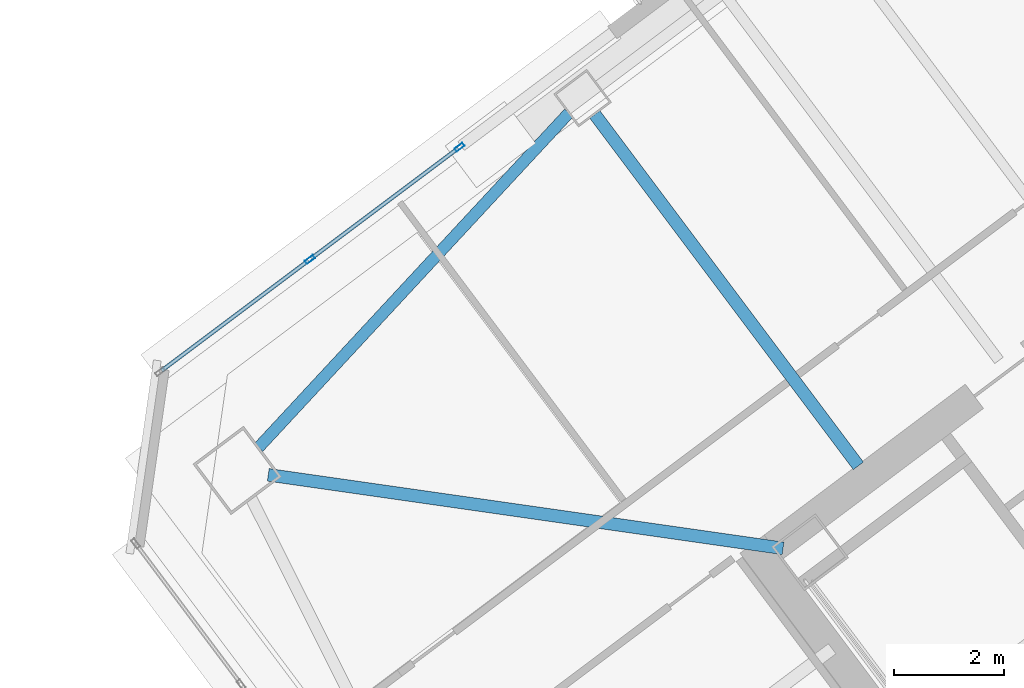
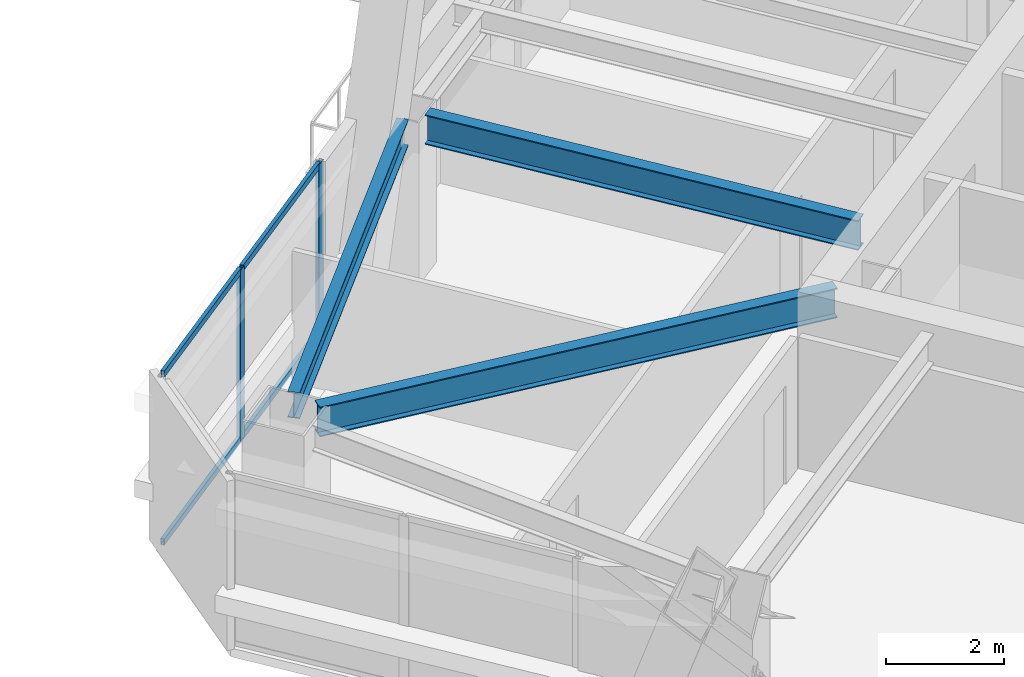
# One storey, part 29 of 55: 6 members, 3 beams, 1 element without a shape of its own.
"""IFC4 building model written with IfcOpenShell, lengths in metres."""

from ifc_helpers import new_model, si_unit, direction, frame, origin, origin_2d, place, context, subcontext, project, spatial, hollow_rectangle, i_section, extrude, material, material_profile, profile_set, type_object, element, aggregate, save


model = new_model("IFC4")

# Units and contexts
model_context = context("Model", 3, precision=1e-05, world=origin(), true_north=direction((0.0, 1.0)))
body_context = subcontext(model_context, "Body", "Model", "MODEL_VIEW")
ifc_project = project(units=[si_unit("LENGTHUNIT", "METRE"), si_unit("AREAUNIT", "SQUARE_METRE"), si_unit("VOLUMEUNIT", "CUBIC_METRE"), si_unit("PLANEANGLEUNIT", "RADIAN"), si_unit("MASSUNIT", "GRAM", prefix="KILO")], contexts=[model_context])

# Site, building, storey
site_placement = place(None, origin())
site = spatial("IfcSite", under=ifc_project, at=site_placement, CompositionType="ELEMENT")
building_placement = place(site_placement, origin())
building = spatial("IfcBuilding", under=site, at=building_placement, Name="Tashvorn Skyway Center", CompositionType="ELEMENT")
storey_placement = place(building_placement, frame((0.0, 0.0, 178.300048828125)))
storey = spatial("IfcBuildingStorey", under=building, at=storey_placement, Name="L48", CompositionType="ELEMENT", Elevation=178.300048828125)

# Beams
ifc_material_1 = material(Name="Steel ASTM A992 Grade 50", Category="steel")
ifc_material_profile_1 = material_profile(ifc_material_1, i_section(OverallWidth=0.22998046875, OverallDepth=0.616943359375, WebThickness=0.01318359375, FlangeThickness=0.022216796875, at=origin_2d()), Name="W24X94")
ifc_profile_set_1 = profile_set([ifc_material_profile_1], Name="Steel ASTM A992 Grade 50")
beam_type_1 = type_object("IfcBeamType", Name="BM-BEAM-W24X94", PredefinedType="BEAM", material=ifc_profile_set_1)
beam_1_placement = place(storey_placement, frame((94.26416015625, 34.8193359375, 3.0615234375), z_axis=(0.989950009213, -0.141417747326, 0.0), x_axis=(0.141417747326, 0.989950009213, 0.0)))
element("IfcBeam", 1, at=beam_1_placement, inside=storey, type_object=beam_type_1, Name="Tower 2 L48 Primary Floor Girder MC-NW", PredefinedType="BEAM", context=body_context, shape_type="SweptSolid", body=[
    extrude(i_section(OverallWidth=0.22998046875, OverallDepth=0.616943359375, WebThickness=0.01318359375, FlangeThickness=0.022216796875, at=origin_2d()), origin(), (0.0, 0.0, 1.0), 9.470947265625),
])
beam_2_placement = place(storey_placement, frame((100.2119140625, 41.384033203125, 3.0615234375), z_axis=(0.599995117266, -0.800003662027, 0.0), x_axis=(0.800003662027, 0.599995117266, 0.0)))
element("IfcBeam", 2, at=beam_2_placement, inside=storey, type_object=beam_type_1, Name="Tower 2 L48 Primary Floor Girder FC-N2", PredefinedType="BEAM", context=body_context, shape_type="SweptSolid", body=[
    extrude(i_section(OverallWidth=0.22998046875, OverallDepth=0.616943359375, WebThickness=0.01318359375, FlangeThickness=0.022216796875, at=origin_2d()), origin(), (0.0, 0.0, 1.0), 8.000244140625),
])
ifc_material_profile_2 = material_profile(ifc_material_1, i_section(OverallWidth=0.2109375, OverallDepth=0.5390625, WebThickness=0.01171875, FlangeThickness=0.018798828125, at=origin_2d()), Name="W21X73")
ifc_profile_set_2 = profile_set([ifc_material_profile_2], Name="Steel ASTM A992 Grade 50")
beam_type_2 = type_object("IfcBeamType", Name="BM-SPANDREL-W21X73", PredefinedType="SPANDREL", material=ifc_profile_set_2)
beam_3_placement = place(storey_placement, frame((99.73828125, 41.40869140625, 3.100341796875), z_axis=(-0.680119661736, -0.733101115618, 0.0), x_axis=(0.733101115618, -0.680119661736, 0.0)))
element("IfcBeam", 3, at=beam_3_placement, inside=storey, type_object=beam_type_2, Name="Tower 2 L48 Spandrel Beam 09", PredefinedType="SPANDREL", context=body_context, shape_type="SweptSolid", body=[
    extrude(i_section(OverallWidth=0.2109375, OverallDepth=0.5390625, WebThickness=0.01171875, FlangeThickness=0.018798828125, at=origin_2d()), origin(), (0.0, 0.0, 1.0), 8.308349609375),
])

# Curtain wall, members
ifc_material_2 = material(Name="Thermally broken bronze-anodized aluminium 6063-T6", Category="aluminium")
curtain_wall_type = type_object("IfcCurtainWallType", Name="CW-CW-Z4", PredefinedType="NOTDEFINED", material=ifc_material_2)
curtain_wall_placement = place(storey_placement, origin())
curtain_wall = element("IfcCurtainWall", 4, at=curtain_wall_placement, inside=storey, type_object=curtain_wall_type, Name="Tower 2 L48 North Curtain Wall L Glazing Group 1", PredefinedType="NOTDEFINED")
ifc_material_profile_3 = material_profile(ifc_material_2, hollow_rectangle(XDim=0.070068359375, YDim=0.179931640625, WallThickness=0.00390625, at=origin_2d()), Name="ALU-MULL-70x180")
ifc_profile_set_3 = profile_set([ifc_material_profile_3], Name="Thermally broken bronze-anodized aluminium 6063-T6")
member_type_1 = type_object("IfcMemberType", Name="CWM-CW-Z4", PredefinedType="MULLION", material=ifc_profile_set_3)
member_1_placement = place(storey_placement, frame((95.022705078125, 38.741943359375, 0.0), z_axis=(0.0, 0.0, 1.0), x_axis=(-0.60000232334, 0.79999825749, 0.0)))
member_1 = element("IfcMember", 5, at=member_1_placement, type_object=member_type_1, Name="CW-Z4 mullion 2", PredefinedType="MULLION", context=body_context, shape_type="SweptSolid", body=[
    extrude(hollow_rectangle(XDim=0.070068359375, YDim=0.179931640625, WallThickness=0.00390625, at=origin_2d()), origin(), (0.0, 0.0, 1.0), 3.550048828125),
])
member_2_placement = place(storey_placement, frame((97.749267578125, 40.787109375, 0.0), z_axis=(0.0, 0.0, 1.0), x_axis=(-0.60000232334, 0.79999825749, 0.0)))
member_2 = element("IfcMember", 6, at=member_2_placement, type_object=member_type_1, Name="CW-Z4 mullion 3", PredefinedType="MULLION", context=body_context, shape_type="SweptSolid", body=[
    extrude(hollow_rectangle(XDim=0.070068359375, YDim=0.179931640625, WallThickness=0.00390625, at=origin_2d()), origin(), (0.0, 0.0, 1.0), 3.550048828125),
])
ifc_material_profile_4 = material_profile(ifc_material_2, hollow_rectangle(XDim=0.070068359375, YDim=0.1298828125, WallThickness=0.00390625, at=origin_2d()), Name="ALU-TRAN-70x130")
ifc_profile_set_4 = profile_set([ifc_material_profile_4], Name="Thermally broken bronze-anodized aluminium 6063-T6")
member_type_2 = type_object("IfcMemberType", Name="CWT-CW-Z4", PredefinedType="USERDEFINED", material=ifc_profile_set_4)
member_3_placement = place(storey_placement, frame((92.323974609375, 36.718017578125, 0.034912109375), z_axis=(0.80000877595, 0.599988298555, 0.0), x_axis=(-0.599988298555, 0.80000877595, 0.0)))
member_3 = element("IfcMember", 7, at=member_3_placement, type_object=member_type_2, Name="CW-Z4 transom 1.1", ObjectType="TRANSOM", PredefinedType="USERDEFINED", context=body_context, shape_type="SweptSolid", body=[
    extrude(hollow_rectangle(XDim=0.070068359375, YDim=0.1298828125, WallThickness=0.00390625, at=origin_2d()), origin(), (0.0, 0.0, 1.0), 3.33837890625),
])
member_4_placement = place(storey_placement, frame((92.323974609375, 36.718017578125, 3.514892578125), z_axis=(0.80000877595, 0.599988298555, 0.0), x_axis=(-0.599988298555, 0.80000877595, 0.0)))
member_4 = element("IfcMember", 8, at=member_4_placement, type_object=member_type_2, Name="CW-Z4 transom 1.2", ObjectType="TRANSOM", PredefinedType="USERDEFINED", context=body_context, shape_type="SweptSolid", body=[
    extrude(hollow_rectangle(XDim=0.070068359375, YDim=0.1298828125, WallThickness=0.00390625, at=origin_2d()), origin(), (0.0, 0.0, 1.0), 3.33837890625),
])
member_5_placement = place(storey_placement, frame((95.050537109375, 38.762939453125, 0.034912109375), z_axis=(0.799973672278, 0.600035102024, 0.0), x_axis=(-0.600035102024, 0.799973672278, 0.0)))
member_5 = element("IfcMember", 9, at=member_5_placement, type_object=member_type_2, Name="CW-Z4 transom 2.1", ObjectType="TRANSOM", PredefinedType="USERDEFINED", context=body_context, shape_type="SweptSolid", body=[
    extrude(hollow_rectangle(XDim=0.070068359375, YDim=0.1298828125, WallThickness=0.00390625, at=origin_2d()), origin(), (0.0, 0.0, 1.0), 3.33837890625),
])
member_6_placement = place(storey_placement, frame((95.050537109375, 38.762939453125, 3.514892578125), z_axis=(0.799973672278, 0.600035102024, 0.0), x_axis=(-0.600035102024, 0.799973672278, 0.0)))
member_6 = element("IfcMember", 10, at=member_6_placement, type_object=member_type_2, Name="CW-Z4 transom 2.2", ObjectType="TRANSOM", PredefinedType="USERDEFINED", context=body_context, shape_type="SweptSolid", body=[
    extrude(hollow_rectangle(XDim=0.070068359375, YDim=0.1298828125, WallThickness=0.00390625, at=origin_2d()), origin(), (0.0, 0.0, 1.0), 3.33837890625),
])
aggregate(curtain_wall, [member_1, member_2, member_3, member_4, member_5, member_6])

save(model, "model.ifc")
